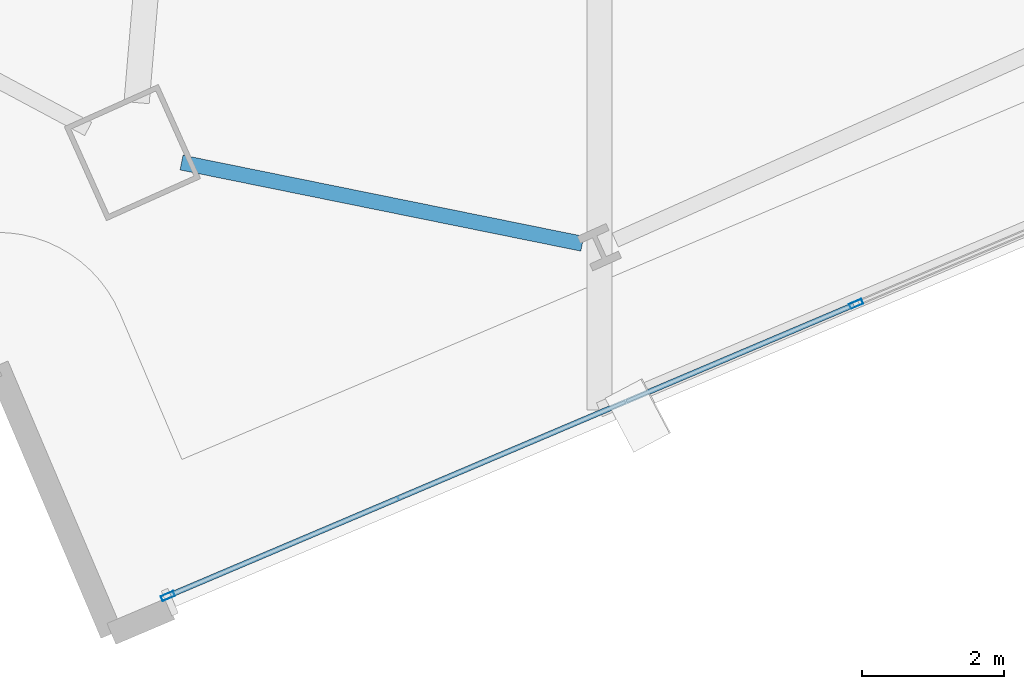
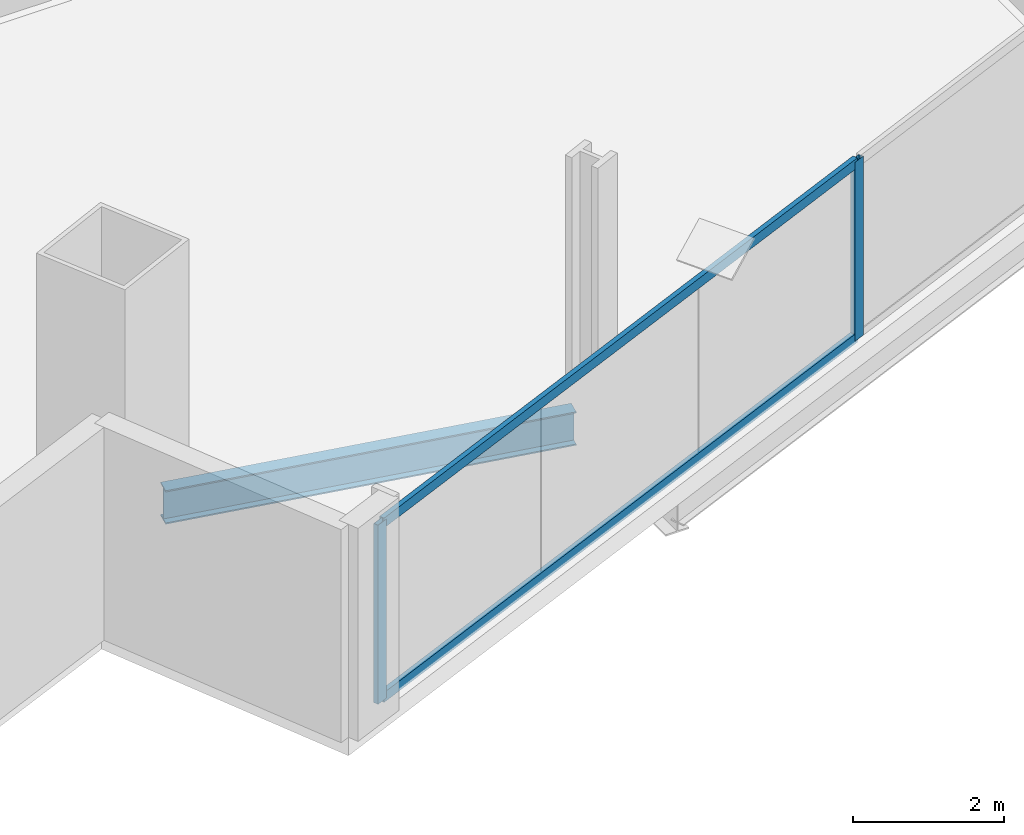
# One storey, part 3 of 34: 4 members, 1 beam, 1 element without a shape of its own.
"""IFC4 building model written with IfcOpenShell, lengths in metres."""

from ifc_helpers import new_model, si_unit, direction, frame, origin, origin_2d, place, context, subcontext, project, spatial, hollow_rectangle, i_section, extrude, material, material_profile, profile_set, type_object, element, aggregate, save


model = new_model("IFC4")

# Units and contexts
model_context = context("Model", 3, precision=1e-05, world=origin(), true_north=direction((0.0, 1.0)))
body_context = subcontext(model_context, "Body", "Model", "MODEL_VIEW")
ifc_project = project(units=[si_unit("LENGTHUNIT", "METRE"), si_unit("AREAUNIT", "SQUARE_METRE"), si_unit("VOLUMEUNIT", "CUBIC_METRE"), si_unit("PLANEANGLEUNIT", "RADIAN"), si_unit("MASSUNIT", "GRAM", prefix="KILO")], contexts=[model_context])

# Site, building, storey
site_placement = place(None, origin())
site = spatial("IfcSite", under=ifc_project, at=site_placement, CompositionType="ELEMENT")
building_placement = place(site_placement, origin())
building = spatial("IfcBuilding", under=site, at=building_placement, Name="Haldenkirk Collegiate Tower", CompositionType="ELEMENT")
storey_placement = place(building_placement, frame((0.0, 0.0, 105.449951171875)))
storey = spatial("IfcBuildingStorey", under=building, at=storey_placement, Name="L25", CompositionType="ELEMENT", Elevation=105.449951171875)

# Beam
ifc_material_1 = material(Name="Steel ASTM A992 Grade 50", Category="steel")
ifc_material_profile_1 = material_profile(ifc_material_1, i_section(OverallWidth=0.2119140625, OverallDepth=0.5439453125, WebThickness=0.01318359375, FlangeThickness=0.021240234375, at=origin_2d()), Name="W21X83")
ifc_profile_set_1 = profile_set([ifc_material_profile_1], Name="Steel ASTM A992 Grade 50")
beam_type = type_object("IfcBeamType", Name="BM-SPANDREL-W21X83", PredefinedType="SPANDREL", material=ifc_profile_set_1)
beam_placement = place(storey_placement, frame((26.3076171875, 1.477783203125, -0.572021484375), z_axis=(0.980077587146, -0.19861501246, 0.0), x_axis=(0.19861501246, 0.980077587146, 0.0)))
element("IfcBeam", 1, at=beam_placement, inside=storey, type_object=beam_type, Name="L25 perimeter spandrel beam 01", PredefinedType="SPANDREL", context=body_context, shape_type="SweptSolid", body=[
    extrude(i_section(OverallWidth=0.2119140625, OverallDepth=0.5439453125, WebThickness=0.01318359375, FlangeThickness=0.021240234375, at=origin_2d()), origin(), (0.0, 0.0, 1.0), 5.747802734375),
])

# Curtain wall, members
ifc_material_2 = material(Name="Anodised architectural bronze aluminium", Category="aluminium")
curtain_wall_type = type_object("IfcCurtainWallType", Name="CW-SYS2-CONCAVE", PredefinedType="USERDEFINED", material=ifc_material_2)
curtain_wall_placement = place(storey_placement, origin())
curtain_wall = element("IfcCurtainWall", 2, at=curtain_wall_placement, inside=storey, type_object=curtain_wall_type, Name="L25 South concave recessed bronze-anodised curtain wall", ObjectType="UNITISED CURTAIN WALL", PredefinedType="USERDEFINED")
ifc_material_profile_2 = material_profile(ifc_material_2, hollow_rectangle(XDim=0.074951171875, YDim=0.18994140625, WallThickness=0.0048828125, at=origin_2d()), Name="CW-MUL-02")
ifc_profile_set_2 = profile_set([ifc_material_profile_2], Name="Anodised architectural bronze aluminium")
member_type_1 = type_object("IfcMemberType", Name="CW-MUL-02", PredefinedType="MULLION", material=ifc_profile_set_2)
member_1_placement = place(storey_placement, frame((35.791259765625, -0.5087890625, 0.0), z_axis=(0.0, 0.0, 1.0), x_axis=(0.390730945162, -0.92050493127, 0.0)))
member_1 = element("IfcMember", 3, at=member_1_placement, type_object=member_type_1, Name="CW-02 mullion 4", PredefinedType="MULLION", context=body_context, shape_type="SweptSolid", body=[
    extrude(hollow_rectangle(XDim=0.074951171875, YDim=0.18994140625, WallThickness=0.0048828125, at=origin_2d()), origin(), (0.0, 0.0, 1.0), 2.901123046875),
])
member_2_placement = place(storey_placement, frame((26.114501953125, -4.616455078125, 0.0), z_axis=(0.0, 0.0, 1.0), x_axis=(0.390730945162, -0.92050493127, 0.0)))
member_2 = element("IfcMember", 4, at=member_2_placement, type_object=member_type_1, Name="CW-02 mullion 5", PredefinedType="MULLION", context=body_context, shape_type="SweptSolid", body=[
    extrude(hollow_rectangle(XDim=0.074951171875, YDim=0.18994140625, WallThickness=0.0048828125, at=origin_2d()), origin(), (0.0, 0.0, 1.0), 2.901123046875),
])
ifc_material_profile_3 = material_profile(ifc_material_2, hollow_rectangle(XDim=0.074951171875, YDim=0.159912109375, WallThickness=0.0048828125, at=origin_2d()), Name="CW-TRN-02")
ifc_profile_set_3 = profile_set([ifc_material_profile_3], Name="Anodised architectural bronze aluminium")
member_type_2 = type_object("IfcMemberType", Name="CW-TRN-02", PredefinedType="USERDEFINED", material=ifc_profile_set_3)
member_3_placement = place(storey_placement, frame((35.7568359375, -0.5234375, 0.03759765625), z_axis=(-0.920503018755, -0.390735450737, 0.0), x_axis=(0.390735450737, -0.920503018755, 0.0)))
member_3 = element("IfcMember", 5, at=member_3_placement, type_object=member_type_2, Name="CW-02 transom 4.1", ObjectType="TRANSOM", PredefinedType="USERDEFINED", context=body_context, shape_type="SweptSolid", body=[
    extrude(hollow_rectangle(XDim=0.074951171875, YDim=0.159912109375, WallThickness=0.0048828125, at=origin_2d()), origin(), (0.0, 0.0, 1.0), 10.437744140625),
])
member_4_placement = place(storey_placement, frame((35.7568359375, -0.5234375, 2.863525390625), z_axis=(-0.920503018755, -0.390735450737, 0.0), x_axis=(0.390735450737, -0.920503018755, 0.0)))
member_4 = element("IfcMember", 6, at=member_4_placement, type_object=member_type_2, Name="CW-02 transom 4.2", ObjectType="TRANSOM", PredefinedType="USERDEFINED", context=body_context, shape_type="SweptSolid", body=[
    extrude(hollow_rectangle(XDim=0.074951171875, YDim=0.159912109375, WallThickness=0.0048828125, at=origin_2d()), origin(), (0.0, 0.0, 1.0), 10.437744140625),
])
aggregate(curtain_wall, [member_1, member_2, member_3, member_4])

save(model, "model.ifc")
